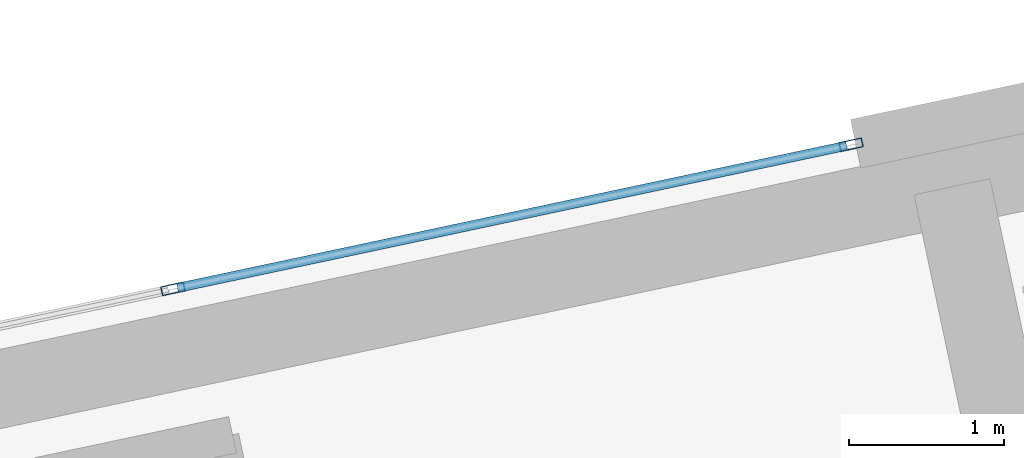
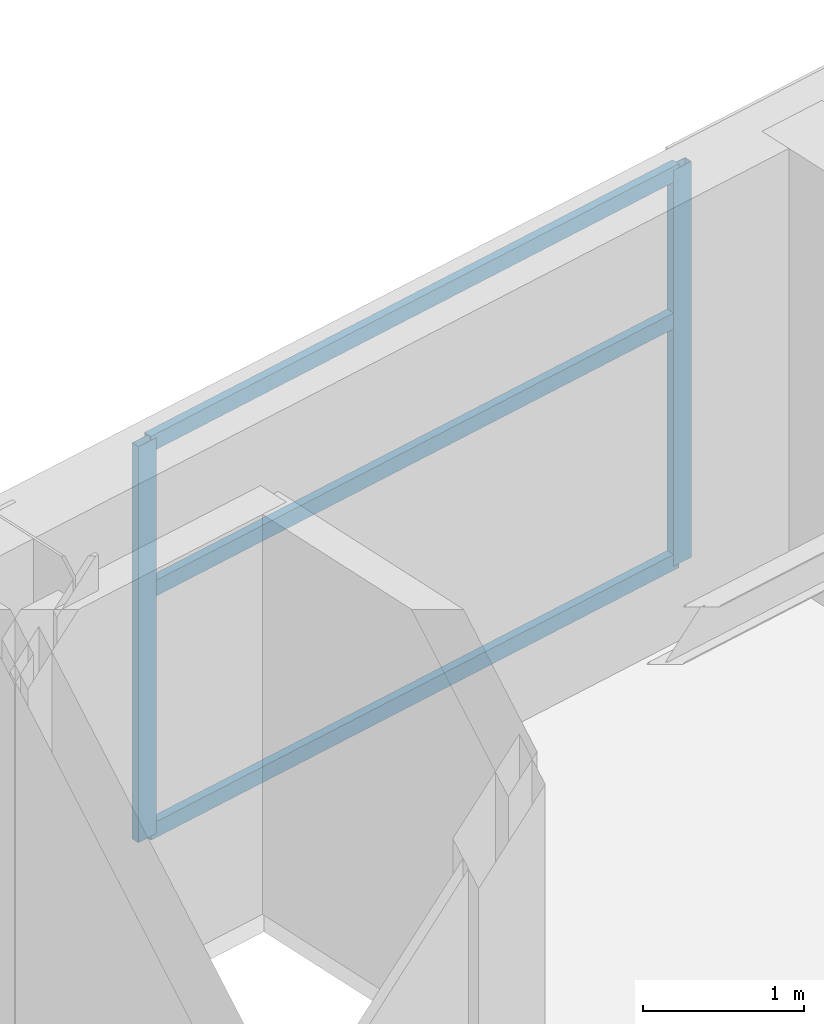
# One storey, part 8 of 22: 5 members, 1 element without a shape of its own.
"""IFC4 building model written with IfcOpenShell, lengths in metres."""

from ifc_helpers import new_model, si_unit, direction, frame, origin, origin_2d, place, context, subcontext, project, spatial, hollow_rectangle, extrude, material, layer, layer_set, material_profile, profile_set, type_object, element, aggregate, save


model = new_model("IFC4")

# Units and contexts
model_context = context("Model", 3, precision=1e-05, world=origin(), true_north=direction((0.0, 1.0)))
body_context = subcontext(model_context, "Body", "Model", "MODEL_VIEW")
ifc_project = project(units=[si_unit("LENGTHUNIT", "METRE"), si_unit("AREAUNIT", "SQUARE_METRE"), si_unit("VOLUMEUNIT", "CUBIC_METRE"), si_unit("PLANEANGLEUNIT", "RADIAN"), si_unit("MASSUNIT", "GRAM", prefix="KILO")], contexts=[model_context])

# Site, building, storey
site_placement = place(None, origin())
site = spatial("IfcSite", under=ifc_project, at=site_placement, CompositionType="ELEMENT")
building_placement = place(site_placement, origin())
building = spatial("IfcBuilding", under=site, at=building_placement, Name="Haevon Station Towers", CompositionType="ELEMENT")
storey_placement = place(building_placement, frame((0.0, 0.0, 93.300048828125)))
storey = spatial("IfcBuildingStorey", under=building, at=storey_placement, Name="L24", CompositionType="ELEMENT", Elevation=93.300048828125)

# Curtain wall, members
ifc_material_1 = material(Name="Anodised aluminium and Low-E double glazing", Category="aluminium")
ifc_layer = layer(ifc_material_1, 0.179931640625)
ifc_layer_set = layer_set([ifc_layer], Name="Anodised aluminium and Low-E double glazing")
curtain_wall_type = type_object("IfcCurtainWallType", Name="CW-SYS5", PredefinedType="NOTDEFINED", material=ifc_layer_set)
curtain_wall_placement = place(storey_placement, origin())
curtain_wall = element("IfcCurtainWall", 1, at=curtain_wall_placement, inside=storey, type_object=curtain_wall_type, Name="L24 Curtain Wall CW-T2-L24-N", PredefinedType="NOTDEFINED")
ifc_material_2 = material(Name="Anodised aluminium 6063-T6", Category="aluminium")
ifc_material_profile_1 = material_profile(ifc_material_2, hollow_rectangle(XDim=0.06005859375, YDim=0.14990234375, WallThickness=0.00341796875, at=origin_2d()), Name="CWM-150x60x3.5")
ifc_profile_set_1 = profile_set([ifc_material_profile_1], Name="Anodised aluminium 6063-T6")
member_type_1 = type_object("IfcMemberType", Name="CWM-150", PredefinedType="MULLION", material=ifc_profile_set_1)
member_1_placement = place(storey_placement, frame((108.410888671875, 49.71875, 0.0), z_axis=(0.0, 0.0, 1.0), x_axis=(-0.207911783211, 0.978147581095, 0.0)))
member_1 = element("IfcMember", 2, at=member_1_placement, type_object=member_type_1, Name="CW-SYS5 mullion 2", PredefinedType="MULLION", context=body_context, shape_type="SweptSolid", body=[
    extrude(hollow_rectangle(XDim=0.06005859375, YDim=0.14990234375, WallThickness=0.00341796875, at=origin_2d()), origin(), (0.0, 0.0, 1.0), 3.0),
])
member_2_placement = place(storey_placement, frame((112.783203125, 50.648193359375, 0.0), z_axis=(0.0, 0.0, 1.0), x_axis=(-0.207911783211, 0.978147581095, 0.0)))
member_2 = element("IfcMember", 3, at=member_2_placement, type_object=member_type_1, Name="CW-SYS5 mullion 3", PredefinedType="MULLION", context=body_context, shape_type="SweptSolid", body=[
    extrude(hollow_rectangle(XDim=0.06005859375, YDim=0.14990234375, WallThickness=0.00341796875, at=origin_2d()), origin(), (0.0, 0.0, 1.0), 3.0),
])
ifc_material_profile_2 = material_profile(ifc_material_2, hollow_rectangle(XDim=0.06005859375, YDim=0.1201171875, WallThickness=0.0029296875, at=origin_2d()), Name="CWT-120x60x3")
ifc_profile_set_2 = profile_set([ifc_material_profile_2], Name="Anodised aluminium 6063-T6")
member_type_2 = type_object("IfcMemberType", Name="CWT-120", PredefinedType="USERDEFINED", material=ifc_profile_set_2)
member_3_placement = place(storey_placement, frame((108.4404296875, 49.72509765625, 0.030029296875), z_axis=(0.9781526595, 0.207887889768, 0.0), x_axis=(-0.207887889768, 0.9781526595, 0.0)))
member_3 = element("IfcMember", 4, at=member_3_placement, type_object=member_type_2, Name="CW-SYS5 transom 2.1", ObjectType="TRANSOM", PredefinedType="USERDEFINED", context=body_context, shape_type="SweptSolid", body=[
    extrude(hollow_rectangle(XDim=0.06005859375, YDim=0.1201171875, WallThickness=0.0029296875, at=origin_2d()), origin(), (0.0, 0.0, 1.0), 4.409912109375),
])
member_4_placement = place(storey_placement, frame((108.4404296875, 49.72509765625, 1.85986328125), z_axis=(0.9781526595, 0.207887889768, 0.0), x_axis=(-0.207887889768, 0.9781526595, 0.0)))
member_4 = element("IfcMember", 5, at=member_4_placement, type_object=member_type_2, Name="CW-SYS5 transom 2.2", ObjectType="TRANSOM", PredefinedType="USERDEFINED", context=body_context, shape_type="SweptSolid", body=[
    extrude(hollow_rectangle(XDim=0.06005859375, YDim=0.1201171875, WallThickness=0.0029296875, at=origin_2d()), origin(), (0.0, 0.0, 1.0), 4.409912109375),
])
member_5_placement = place(storey_placement, frame((108.4404296875, 49.72509765625, 2.969970703125), z_axis=(0.9781526595, 0.207887889768, 0.0), x_axis=(-0.207887889768, 0.9781526595, 0.0)))
member_5 = element("IfcMember", 6, at=member_5_placement, type_object=member_type_2, Name="CW-SYS5 transom 2.3", ObjectType="TRANSOM", PredefinedType="USERDEFINED", context=body_context, shape_type="SweptSolid", body=[
    extrude(hollow_rectangle(XDim=0.06005859375, YDim=0.1201171875, WallThickness=0.0029296875, at=origin_2d()), origin(), (0.0, 0.0, 1.0), 4.409912109375),
])
aggregate(curtain_wall, [member_1, member_2, member_3, member_4, member_5])

save(model, "model.ifc")
